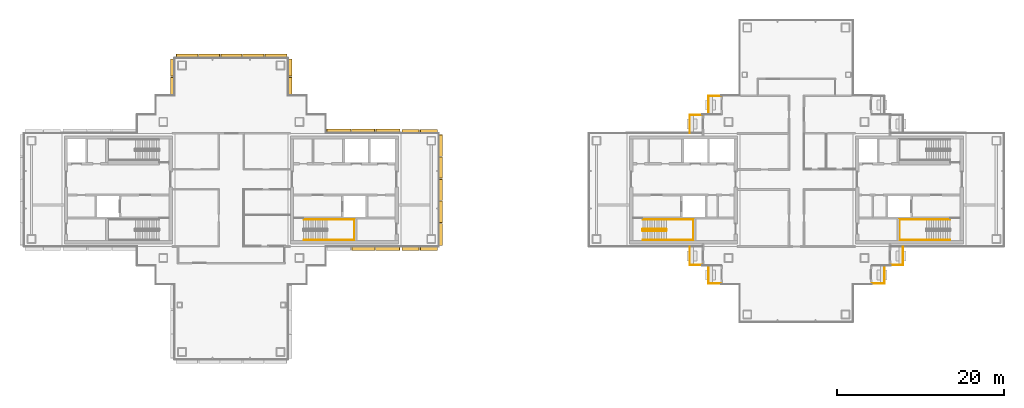
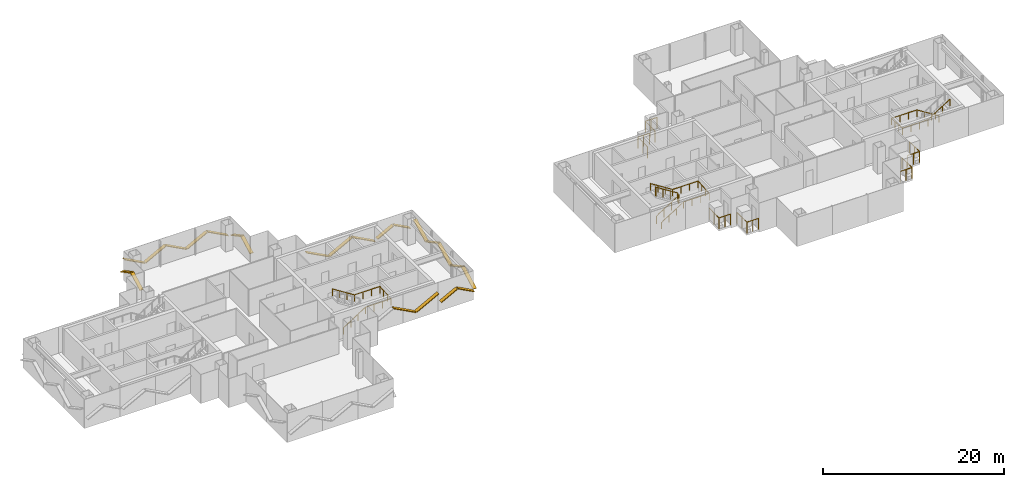
# One storey, part 15 of 17: 23 shading devices, 10 railings.
"""IFC4 building model written with IfcOpenShell, lengths in metres."""

from ifc_helpers import new_model, si_unit, direction, frame, origin, origin_2d, place, context, subcontext, project, spatial, rectangle, circle, extrude, material, material_profile, profile_set, type_object, element, save


model = new_model("IFC4")

# Units and contexts
model_context = context("Model", 3, precision=1e-05, world=origin(), true_north=direction((0.0, 1.0)))
body_context = subcontext(model_context, "Body", "Model", "MODEL_VIEW")
ifc_project = project(units=[si_unit("LENGTHUNIT", "METRE"), si_unit("AREAUNIT", "SQUARE_METRE"), si_unit("VOLUMEUNIT", "CUBIC_METRE"), si_unit("PLANEANGLEUNIT", "RADIAN"), si_unit("MASSUNIT", "GRAM", prefix="KILO")], contexts=[model_context])

# Site, building, storey
site_placement = place(None, origin())
site = spatial("IfcSite", under=ifc_project, at=site_placement, CompositionType="ELEMENT")
building_placement = place(site_placement, origin())
building = spatial("IfcBuilding", under=site, at=building_placement, Name="Shamsa Quay Exchange Towers", CompositionType="ELEMENT")
storey_placement = place(building_placement, frame((0.0, 0.0, 194.39990234375)))
storey = spatial("IfcBuildingStorey", under=building, at=storey_placement, Name="L46", CompositionType="ELEMENT", Elevation=194.39990234375)

# Railings
ifc_material_1 = material(Name="Steel S355, black powder-coated", Category="steel")
railing_type_1 = type_object("IfcRailingType", Name="BALCONY GUARD 1500", PredefinedType="GUARDRAIL", material=ifc_material_1)
for number, where, name in (
    (1, (24.72900390625, 11.199951171875, 0.0), "Balcony guard T2-PKEN L46"),
    (2, (22.47900390625, 8.949951171875, 0.0), "Balcony guard T2-PKEN L46"),
):
    element("IfcRailing", number, at=place(storey_placement, frame(where)), inside=storey, type_object=railing_type_1, Name=name, PredefinedType="GUARDRAIL", context=body_context, shape_type="SweptSolid", body=[
        extrude(circle(Radius=0.02392578125, at=origin_2d()), frame((0.0, 0.0, 1.47607421875), z_axis=(-1.0, 0.0, 0.0), x_axis=(0.0, -1.0, 0.0)), (0.0, 0.0, 1.0), 1.47900390625),
        extrude(circle(Radius=0.02392578125, at=origin_2d()), frame((-1.47900390625, 0.0, 1.47607421875), z_axis=(0.0, -1.0, 0.0), x_axis=(1.0, 0.0, 0.0)), (0.0, 0.0, 1.0), 2.161865234375),
        extrude(circle(Radius=0.02099609375, at=origin_2d()), origin(), (0.0, 0.0, 1.0), 1.451904296875),
        extrude(circle(Radius=0.02099609375, at=origin_2d()), frame((-0.739501953125, 0.0, 0.0)), (0.0, 0.0, 1.0), 1.451904296875),
        extrude(circle(Radius=0.02099609375, at=origin_2d()), frame((-1.47900390625, 0.0, 0.0)), (0.0, 0.0, 1.0), 1.451904296875),
        extrude(circle(Radius=0.02099609375, at=origin_2d()), frame((-1.47900390625, -1.0810546875, 0.0)), (0.0, 0.0, 1.0), 1.451904296875),
        extrude(circle(Radius=0.02099609375, at=origin_2d()), frame((-1.47900390625, -2.161865234375, 0.0)), (0.0, 0.0, 1.0), 1.451904296875),
    ])
for number, where, name in (
    (3, (21.0, -6.7880859375, 0.0), "Balcony guard T2-PKWN L46"),
    (4, (23.25, -9.0380859375, 0.0), "Balcony guard T2-PKWN L46"),
):
    element("IfcRailing", number, at=place(storey_placement, frame(where)), inside=storey, type_object=railing_type_1, Name=name, PredefinedType="GUARDRAIL", context=body_context, shape_type="SweptSolid", body=[
        extrude(circle(Radius=0.02392578125, at=origin_2d()), frame((0.0, 0.0, 1.47607421875), z_axis=(0.0, -1.0, 0.0), x_axis=(1.0, 0.0, 0.0)), (0.0, 0.0, 1.0), 2.161865234375),
        extrude(circle(Radius=0.02392578125, at=origin_2d()), frame((0.0, -2.161865234375, 1.47607421875), z_axis=(1.0, 0.0, 0.0), x_axis=(0.0, 1.0, 0.0)), (0.0, 0.0, 1.0), 1.47900390625),
        extrude(circle(Radius=0.02099609375, at=origin_2d()), origin(), (0.0, 0.0, 1.0), 1.451904296875),
        extrude(circle(Radius=0.02099609375, at=origin_2d()), frame((0.0, -1.0810546875, 0.0)), (0.0, 0.0, 1.0), 1.451904296875),
        extrude(circle(Radius=0.02099609375, at=origin_2d()), frame((0.0, -2.161865234375, 0.0)), (0.0, 0.0, 1.0), 1.451904296875),
        extrude(circle(Radius=0.02099609375, at=origin_2d()), frame((0.739501953125, -2.161865234375, 0.0)), (0.0, 0.0, 1.0), 1.451904296875),
        extrude(circle(Radius=0.02099609375, at=origin_2d()), frame((1.47900390625, -2.161865234375, 0.0)), (0.0, 0.0, 1.0), 1.451904296875),
    ])
for number, where, name in (
    (5, (42.77099609375, -11.199951171875, 0.0), "Balcony guard T2-PKWS L46"),
    (6, (45.02099609375, -8.949951171875, 0.0), "Balcony guard T2-PKWS L46"),
):
    element("IfcRailing", number, at=place(storey_placement, frame(where)), inside=storey, type_object=railing_type_1, Name=name, PredefinedType="GUARDRAIL", context=body_context, shape_type="SweptSolid", body=[
        extrude(circle(Radius=0.02392578125, at=origin_2d()), frame((0.0, 0.0, 1.47607421875), z_axis=(1.0, 0.0, 0.0), x_axis=(0.0, 1.0, 0.0)), (0.0, 0.0, 1.0), 1.47900390625),
        extrude(circle(Radius=0.02392578125, at=origin_2d()), frame((1.47900390625, 0.0, 1.47607421875), z_axis=(0.0, 1.0, 0.0), x_axis=(-1.0, 0.0, 0.0)), (0.0, 0.0, 1.0), 2.161865234375),
        extrude(circle(Radius=0.02099609375, at=origin_2d()), origin(), (0.0, 0.0, 1.0), 1.451904296875),
        extrude(circle(Radius=0.02099609375, at=origin_2d()), frame((0.739501953125, 0.0, 0.0)), (0.0, 0.0, 1.0), 1.451904296875),
        extrude(circle(Radius=0.02099609375, at=origin_2d()), frame((1.47900390625, 0.0, 0.0)), (0.0, 0.0, 1.0), 1.451904296875),
        extrude(circle(Radius=0.02099609375, at=origin_2d()), frame((1.47900390625, 1.0810546875, 0.0)), (0.0, 0.0, 1.0), 1.451904296875),
        extrude(circle(Radius=0.02099609375, at=origin_2d()), frame((1.47900390625, 2.161865234375, 0.0)), (0.0, 0.0, 1.0), 1.451904296875),
    ])

# Shading devices
ifc_material_2 = material(Name="Aluminium EN AW-6063 T6, black anodised", Category="aluminium")
ifc_material_profile = material_profile(ifc_material_2, rectangle(XDim=0.449951171875, YDim=0.10009765625, at=origin_2d()), Name="FIN450x100")
ifc_profile_set = profile_set([ifc_material_profile], Name="Aluminium EN AW-6063 T6, black anodised")
shading_device_type = type_object("IfcShadingDeviceType", Name="FIN 450x100 BLACK ALUMINIUM", PredefinedType="USERDEFINED", material=ifc_profile_set)
shading_device_1_placement = place(storey_placement, frame((-19.374755859375, -7.01904296875, 2.341064453125), z_axis=(0.882964473393, 0.0, -0.469439813742), x_axis=(0.0, 1.0, 0.0)))
element("IfcShadingDevice", 7, at=shading_device_1_placement, inside=storey, type_object=shading_device_type, Name="FIN T1 chevron rib", ObjectType="FIN", PredefinedType="USERDEFINED", context=body_context, shape_type="SweptSolid", body=[
    extrude(rectangle(XDim=0.449951171875, YDim=0.10009765625, at=origin_2d()), origin(), (0.0, 0.0, 1.0), 3.15673828125),
])
shading_device_2_placement = place(storey_placement, frame((-16.4873046875, -7.01904296875, 0.845703125), z_axis=(0.882932697482, 0.0, 0.469499575843), x_axis=(0.0, 1.0, 0.0)))
element("IfcShadingDevice", 8, at=shading_device_2_placement, inside=storey, type_object=shading_device_type, Name="FIN T1 chevron rib", ObjectType="FIN", PredefinedType="USERDEFINED", context=body_context, shape_type="SweptSolid", body=[
    extrude(rectangle(XDim=0.449951171875, YDim=0.10009765625, at=origin_2d()), origin(), (0.0, 0.0, 1.0), 3.213623046875),
])
for number, where, z_axis, x_axis, name in (
    (9, (-13.35009765625, -7.014892578125, 1.05517578125), (0.882980896466, 0.0, 0.469408922451), (0.0, 1.0, 0.0), "FIN T1 chevron rib"),
    (10, (-11.199951171875, -7.014892578125, 2.14501953125), (0.882980896466, 0.0, -0.469408922451), (0.0, 1.0, 0.0), "FIN T1 chevron rib"),
):
    element("IfcShadingDevice", number, at=place(storey_placement, frame(where, z_axis=z_axis, x_axis=x_axis)), inside=storey, type_object=shading_device_type, Name=name, ObjectType="FIN", PredefinedType="USERDEFINED", context=body_context, shape_type="SweptSolid", body=[
        extrude(rectangle(XDim=0.449951171875, YDim=0.10009765625, at=origin_2d()), origin(), (0.0, 0.0, 1.0), 2.32177734375),
    ])
shading_device_3_placement = place(storey_placement, frame((-8.735107421875, -6.60009765625, 0.91162109375), z_axis=(0.0, 0.882978825911, 0.469412817244), x_axis=(-1.0, 0.0, 0.0)))
element("IfcShadingDevice", 11, at=shading_device_3_placement, inside=storey, type_object=shading_device_type, Name="FIN T1 chevron rib", ObjectType="FIN", PredefinedType="USERDEFINED", context=body_context, shape_type="SweptSolid", body=[
    extrude(rectangle(XDim=0.449951171875, YDim=0.10009765625, at=origin_2d()), origin(), (0.0, 0.0, 1.0), 2.933349609375),
])
shading_device_4_placement = place(storey_placement, frame((-8.735107421875, -3.909912109375, 2.275390625), z_axis=(0.0, 0.882925540975, -0.469513033997), x_axis=(-1.0, 0.0, 0.0)))
element("IfcShadingDevice", 12, at=shading_device_4_placement, inside=storey, type_object=shading_device_type, Name="FIN T1 chevron rib", ObjectType="FIN", PredefinedType="USERDEFINED", context=body_context, shape_type="SweptSolid", body=[
    extrude(rectangle(XDim=0.449951171875, YDim=0.10009765625, at=origin_2d()), origin(), (0.0, 0.0, 1.0), 2.87646484375),
])
shading_device_5_placement = place(storey_placement, frame((-8.735107421875, -1.27001953125, 0.9248046875), z_axis=(0.0, 0.882944248312, 0.469477852909), x_axis=(-1.0, 0.0, 0.0)))
element("IfcShadingDevice", 13, at=shading_device_5_placement, inside=storey, type_object=shading_device_type, Name="FIN T1 chevron rib", ObjectType="FIN", PredefinedType="USERDEFINED", context=body_context, shape_type="SweptSolid", body=[
    extrude(rectangle(XDim=0.449951171875, YDim=0.10009765625, at=origin_2d()), origin(), (0.0, 0.0, 1.0), 2.876708984375),
])
shading_device_6_placement = place(storey_placement, frame((-8.735107421875, 1.3701171875, 2.275390625), z_axis=(0.0, 0.882925540975, -0.469513033997), x_axis=(-1.0, 0.0, 0.0)))
element("IfcShadingDevice", 14, at=shading_device_6_placement, inside=storey, type_object=shading_device_type, Name="FIN T1 chevron rib", ObjectType="FIN", PredefinedType="USERDEFINED", context=body_context, shape_type="SweptSolid", body=[
    extrude(rectangle(XDim=0.449951171875, YDim=0.10009765625, at=origin_2d()), origin(), (0.0, 0.0, 1.0), 2.87646484375),
])
shading_device_7_placement = place(storey_placement, frame((-8.735107421875, 4.010009765625, 0.91162109375), z_axis=(0.0, 0.882978825911, 0.469412817244), x_axis=(-1.0, 0.0, 0.0)))
element("IfcShadingDevice", 15, at=shading_device_7_placement, inside=storey, type_object=shading_device_type, Name="FIN T1 chevron rib", ObjectType="FIN", PredefinedType="USERDEFINED", context=body_context, shape_type="SweptSolid", body=[
    extrude(rectangle(XDim=0.449951171875, YDim=0.10009765625, at=origin_2d()), origin(), (0.0, 0.0, 1.0), 2.933349609375),
])
for number, where, z_axis, x_axis, name in (
    (16, (-9.14990234375, 7.014892578125, 1.05517578125), (-0.882980896466, 0.0, 0.469408922451), (0.0, -1.0, 0.0), "FIN T1 chevron rib"),
    (17, (-11.300048828125, 7.014892578125, 2.14501953125), (-0.882980896466, 0.0, -0.469408922451), (0.0, -1.0, 0.0), "FIN T1 chevron rib"),
):
    element("IfcShadingDevice", number, at=place(storey_placement, frame(where, z_axis=z_axis, x_axis=x_axis)), inside=storey, type_object=shading_device_type, Name=name, ObjectType="FIN", PredefinedType="USERDEFINED", context=body_context, shape_type="SweptSolid", body=[
        extrude(rectangle(XDim=0.449951171875, YDim=0.10009765625, at=origin_2d()), origin(), (0.0, 0.0, 1.0), 2.32177734375),
    ])
shading_device_8_placement = place(storey_placement, frame((-13.64990234375, 7.01904296875, 0.842529296875), z_axis=(-0.882984458164, 0.0, 0.469402222663), x_axis=(0.0, -1.0, 0.0)))
element("IfcShadingDevice", 18, at=shading_device_8_placement, inside=storey, type_object=shading_device_type, Name="FIN T1 chevron rib", ObjectType="FIN", PredefinedType="USERDEFINED", context=body_context, shape_type="SweptSolid", body=[
    extrude(rectangle(XDim=0.449951171875, YDim=0.10009765625, at=origin_2d()), origin(), (0.0, 0.0, 1.0), 3.227783203125),
])
shading_device_9_placement = place(storey_placement, frame((-16.60009765625, 7.01904296875, 2.344482421875), z_axis=(-0.882936223509, 0.0, -0.469492944799), x_axis=(0.0, -1.0, 0.0)))
element("IfcShadingDevice", 19, at=shading_device_9_placement, inside=storey, type_object=shading_device_type, Name="FIN T1 chevron rib", ObjectType="FIN", PredefinedType="USERDEFINED", context=body_context, shape_type="SweptSolid", body=[
    extrude(rectangle(XDim=0.449951171875, YDim=0.10009765625, at=origin_2d()), origin(), (0.0, 0.0, 1.0), 3.1708984375),
])
shading_device_10_placement = place(storey_placement, frame((-19.5, 7.01904296875, 0.842529296875), z_axis=(-0.882984458164, 0.0, 0.469402222663), x_axis=(0.0, -1.0, 0.0)))
element("IfcShadingDevice", 20, at=shading_device_10_placement, inside=storey, type_object=shading_device_type, Name="FIN T1 chevron rib", ObjectType="FIN", PredefinedType="USERDEFINED", context=body_context, shape_type="SweptSolid", body=[
    extrude(rectangle(XDim=0.449951171875, YDim=0.10009765625, at=origin_2d()), origin(), (0.0, 0.0, 1.0), 3.227783203125),
])
for number, where, z_axis, x_axis, name in (
    (21, (-26.735107421875, 11.43798828125, 1.06005859375), (0.0, 0.882916388748, 0.469530244479), (-1.0, 0.0, 0.0), "FIN T1 chevron rib"),
    (22, (-26.735107421875, 13.569091796875, 2.14013671875), (0.0, 0.882916388748, -0.469530244479), (-1.0, 0.0, 0.0), "FIN T1 chevron rib"),
):
    element("IfcShadingDevice", number, at=place(storey_placement, frame(where, z_axis=z_axis, x_axis=x_axis)), inside=storey, type_object=shading_device_type, Name=name, ObjectType="FIN", PredefinedType="USERDEFINED", context=body_context, shape_type="SweptSolid", body=[
        extrude(rectangle(XDim=0.449951171875, YDim=0.10009765625, at=origin_2d()), origin(), (0.0, 0.0, 1.0), 2.30029296875),
    ])
shading_device_11_placement = place(storey_placement, frame((-27.14990234375, 16.014892578125, 0.91162109375), z_axis=(-0.882978825911, 0.0, 0.469412817244), x_axis=(0.0, -1.0, 0.0)))
element("IfcShadingDevice", 23, at=shading_device_11_placement, inside=storey, type_object=shading_device_type, Name="FIN T1 chevron rib", ObjectType="FIN", PredefinedType="USERDEFINED", context=body_context, shape_type="SweptSolid", body=[
    extrude(rectangle(XDim=0.449951171875, YDim=0.10009765625, at=origin_2d()), origin(), (0.0, 0.0, 1.0), 2.933349609375),
])
shading_device_12_placement = place(storey_placement, frame((-29.840087890625, 16.014892578125, 2.275390625), z_axis=(-0.882925540975, 0.0, -0.469513033997), x_axis=(0.0, -1.0, 0.0)))
element("IfcShadingDevice", 24, at=shading_device_12_placement, inside=storey, type_object=shading_device_type, Name="FIN T1 chevron rib", ObjectType="FIN", PredefinedType="USERDEFINED", context=body_context, shape_type="SweptSolid", body=[
    extrude(rectangle(XDim=0.449951171875, YDim=0.10009765625, at=origin_2d()), origin(), (0.0, 0.0, 1.0), 2.87646484375),
])
shading_device_13_placement = place(storey_placement, frame((-32.47998046875, 16.014892578125, 0.9248046875), z_axis=(-0.882944248312, 0.0, 0.469477852909), x_axis=(0.0, -1.0, 0.0)))
element("IfcShadingDevice", 25, at=shading_device_13_placement, inside=storey, type_object=shading_device_type, Name="FIN T1 chevron rib", ObjectType="FIN", PredefinedType="USERDEFINED", context=body_context, shape_type="SweptSolid", body=[
    extrude(rectangle(XDim=0.449951171875, YDim=0.10009765625, at=origin_2d()), origin(), (0.0, 0.0, 1.0), 2.876708984375),
])
shading_device_14_placement = place(storey_placement, frame((-35.1201171875, 16.014892578125, 2.275390625), z_axis=(-0.882925540975, 0.0, -0.469513033997), x_axis=(0.0, -1.0, 0.0)))
element("IfcShadingDevice", 26, at=shading_device_14_placement, inside=storey, type_object=shading_device_type, Name="FIN T1 chevron rib", ObjectType="FIN", PredefinedType="USERDEFINED", context=body_context, shape_type="SweptSolid", body=[
    extrude(rectangle(XDim=0.449951171875, YDim=0.10009765625, at=origin_2d()), origin(), (0.0, 0.0, 1.0), 2.87646484375),
])
shading_device_15_placement = place(storey_placement, frame((-37.760009765625, 16.014892578125, 0.91162109375), z_axis=(-0.882978825911, 0.0, 0.469412817244), x_axis=(0.0, -1.0, 0.0)))
element("IfcShadingDevice", 27, at=shading_device_15_placement, inside=storey, type_object=shading_device_type, Name="FIN T1 chevron rib", ObjectType="FIN", PredefinedType="USERDEFINED", context=body_context, shape_type="SweptSolid", body=[
    extrude(rectangle(XDim=0.449951171875, YDim=0.10009765625, at=origin_2d()), origin(), (0.0, 0.0, 1.0), 2.933349609375),
])
for number, where, z_axis, x_axis, name in (
    (28, (-40.764892578125, 15.60009765625, 1.05517578125), (0.0, -0.882980896466, 0.469408922451), (1.0, 0.0, 0.0), "FIN T1 chevron rib"),
    (29, (-40.764892578125, 13.449951171875, 2.14501953125), (0.0, -0.882980896466, -0.469408922451), (1.0, 0.0, 0.0), "FIN T1 chevron rib"),
):
    element("IfcShadingDevice", number, at=place(storey_placement, frame(where, z_axis=z_axis, x_axis=x_axis)), inside=storey, type_object=shading_device_type, Name=name, ObjectType="FIN", PredefinedType="USERDEFINED", context=body_context, shape_type="SweptSolid", body=[
        extrude(rectangle(XDim=0.449951171875, YDim=0.10009765625, at=origin_2d()), origin(), (0.0, 0.0, 1.0), 2.32177734375),
    ])

# Railings
ifc_material_3 = material(Name="Stainless steel", Category="steel")
railing_type_2 = type_object("IfcRailingType", Name="STAIR GUARD 1100", PredefinedType="GUARDRAIL", material=ifc_material_3)
railing_1_placement = place(storey_placement, frame((15.39990234375, -4.89990234375, 0.177490234375)))
element("IfcRailing", 30, at=railing_1_placement, inside=storey, type_object=railing_type_2, Name="L46 ST4 stair guard 1", PredefinedType="GUARDRAIL", context=body_context, shape_type="SweptSolid", body=[
    extrude(circle(Radius=0.02392578125, at=origin_2d()), frame((0.0, 0.0, 1.076171875), z_axis=(0.844908973607, 0.0, 0.534910110503), x_axis=(0.0, 1.0, 0.0)), (0.0, 0.0, 1.0), 3.31396484375),
    extrude(circle(Radius=0.02392578125, at=origin_2d()), frame((2.800048828125, 0.0, 2.8486328125), z_axis=(0.708833529934, 0.705375805398, 0.0), x_axis=(-0.705375805398, 0.708833529934, 0.0)), (0.0, 0.0, 1.0), 0.070556640625),
    extrude(circle(Radius=0.02392578125, at=origin_2d()), frame((2.85009765625, 0.0498046875, 2.8486328125), z_axis=(0.0, 1.0, 0.0), x_axis=(-1.0, 0.0, 0.0)), (0.0, 0.0, 1.0), 0.150146484375),
    extrude(circle(Radius=0.02392578125, at=origin_2d()), frame((2.85009765625, 0.199951171875, 2.8486328125), z_axis=(-0.262233686654, 0.262233686654, 0.928691007369), x_axis=(-0.707106781187, -0.707106781187, 0.0)), (0.0, 0.0, 1.0), 0.19091796875),
    extrude(circle(Radius=0.02392578125, at=origin_2d()), frame((2.800048828125, 0.25, 3.02587890625), z_axis=(-0.844908973607, 0.0, 0.534910110503), x_axis=(0.0, -1.0, 0.0)), (0.0, 0.0, 1.0), 3.31396484375),
    extrude(circle(Radius=0.02392578125, at=origin_2d()), frame((0.0, 0.25, 4.798828125), z_axis=(-0.24142163986, -0.970420317083, 0.0), x_axis=(0.970420317083, -0.24142163986, 0.0)), (0.0, 0.0, 1.0), 0.206298828125),
    extrude(circle(Radius=0.02392578125, at=origin_2d()), frame((-0.0498046875, 0.0498046875, 4.798828125), z_axis=(0.0, 1.0, 0.0), x_axis=(-1.0, 0.0, 0.0)), (0.0, 0.0, 1.0), 0.150146484375),
    extrude(circle(Radius=0.02099609375, at=origin_2d()), origin(), (0.0, 0.0, 1.0), 1.052001953125),
    extrude(circle(Radius=0.02099609375, at=origin_2d()), frame((0.933349609375, 0.0, 0.5908203125)), (0.0, 0.0, 1.0), 1.052001953125),
    extrude(circle(Radius=0.02099609375, at=origin_2d()), frame((1.86669921875, 0.0, 1.181884765625)), (0.0, 0.0, 1.0), 1.052001953125),
    extrude(circle(Radius=0.02099609375, at=origin_2d()), frame((2.800048828125, 0.0, 1.772705078125)), (0.0, 0.0, 1.0), 1.052001953125),
    extrude(circle(Radius=0.02099609375, at=origin_2d()), frame((2.85009765625, 0.0498046875, 1.772705078125)), (0.0, 0.0, 1.0), 1.052001953125),
    extrude(circle(Radius=0.02099609375, at=origin_2d()), frame((2.85009765625, 0.199951171875, 1.772705078125)), (0.0, 0.0, 1.0), 1.052001953125),
    extrude(circle(Radius=0.02099609375, at=origin_2d()), frame((2.800048828125, 0.25, 1.949951171875)), (0.0, 0.0, 1.0), 1.052001953125),
    extrude(circle(Radius=0.02099609375, at=origin_2d()), frame((1.86669921875, 0.25, 2.540771484375)), (0.0, 0.0, 1.0), 1.052001953125),
    extrude(circle(Radius=0.02099609375, at=origin_2d()), frame((0.933349609375, 0.25, 3.1318359375)), (0.0, 0.0, 1.0), 1.052001953125),
    extrude(circle(Radius=0.02099609375, at=origin_2d()), frame((0.0, 0.25, 3.72265625)), (0.0, 0.0, 1.0), 1.052001953125),
    extrude(circle(Radius=0.02099609375, at=origin_2d()), frame((-0.0498046875, 0.0498046875, 3.72265625)), (0.0, 0.0, 1.0), 1.052001953125),
    extrude(circle(Radius=0.02099609375, at=origin_2d()), frame((-0.0498046875, 0.199951171875, 3.72265625)), (0.0, 0.0, 1.0), 1.052001953125),
])
railing_type_3 = type_object("IfcRailingType", Name="STAIR HANDRAIL 900", PredefinedType="HANDRAIL", material=ifc_material_3)
railing_2_placement = place(storey_placement, frame((-25.10009765625, -6.0, 0.177490234375)))
element("IfcRailing", 31, at=railing_2_placement, inside=storey, type_object=railing_type_3, Name="L46 ST1 stair handrail 1", PredefinedType="HANDRAIL", context=body_context, shape_type="SweptSolid", body=[
    extrude(circle(Radius=0.02392578125, at=origin_2d()), frame((0.0, 0.0, 0.8759765625), z_axis=(0.844908973607, 0.0, 0.534910110503), x_axis=(0.0, 1.0, 0.0)), (0.0, 0.0, 1.0), 3.31396484375),
    extrude(circle(Radius=0.02392578125, at=origin_2d()), frame((2.800048828125, 0.0, 2.6484375), z_axis=(1.0, 0.0, 0.0), x_axis=(0.0, 1.0, 0.0)), (0.0, 0.0, 1.0), 3.25),
    extrude(circle(Radius=0.02392578125, at=origin_2d()), frame((6.050048828125, 0.0, 2.6484375), z_axis=(0.0, 0.997393199914, 0.07215819264), x_axis=(-1.0, 0.0, 0.0)), (0.0, 0.0, 1.0), 2.456298828125),
    extrude(circle(Radius=0.02392578125, at=origin_2d()), frame((6.050048828125, 2.449951171875, 2.82568359375), z_axis=(-1.0, 0.0, 0.0), x_axis=(0.0, -1.0, 0.0)), (0.0, 0.0, 1.0), 3.25),
    extrude(circle(Radius=0.02392578125, at=origin_2d()), frame((2.800048828125, 2.449951171875, 2.82568359375), z_axis=(-0.844908973607, 0.0, 0.534910110503), x_axis=(0.0, -1.0, 0.0)), (0.0, 0.0, 1.0), 3.31396484375),
    extrude(circle(Radius=0.02099609375, at=origin_2d()), origin(), (0.0, 0.0, 1.0), 0.851806640625),
    extrude(circle(Radius=0.02099609375, at=origin_2d()), frame((0.933349609375, 0.0, 0.5908203125)), (0.0, 0.0, 1.0), 0.851806640625),
    extrude(circle(Radius=0.02099609375, at=origin_2d()), frame((1.86669921875, 0.0, 1.181884765625)), (0.0, 0.0, 1.0), 0.851806640625),
    extrude(circle(Radius=0.02099609375, at=origin_2d()), frame((2.800048828125, 0.0, 1.772705078125)), (0.0, 0.0, 1.0), 0.851806640625),
    extrude(circle(Radius=0.02099609375, at=origin_2d()), frame((3.88330078125, 0.0, 1.772705078125)), (0.0, 0.0, 1.0), 0.851806640625),
    extrude(circle(Radius=0.02099609375, at=origin_2d()), frame((4.966796875, 0.0, 1.772705078125)), (0.0, 0.0, 1.0), 0.851806640625),
    extrude(circle(Radius=0.02099609375, at=origin_2d()), frame((6.050048828125, 0.0, 1.772705078125)), (0.0, 0.0, 1.0), 0.851806640625),
    extrude(circle(Radius=0.02099609375, at=origin_2d()), frame((6.050048828125, 0.816650390625, 1.831787109375)), (0.0, 0.0, 1.0), 0.851806640625),
    extrude(circle(Radius=0.02099609375, at=origin_2d()), frame((6.050048828125, 1.63330078125, 1.890869140625)), (0.0, 0.0, 1.0), 0.851806640625),
    extrude(circle(Radius=0.02099609375, at=origin_2d()), frame((6.050048828125, 2.449951171875, 1.949951171875)), (0.0, 0.0, 1.0), 0.851806640625),
    extrude(circle(Radius=0.02099609375, at=origin_2d()), frame((4.966796875, 2.449951171875, 1.949951171875)), (0.0, 0.0, 1.0), 0.851806640625),
    extrude(circle(Radius=0.02099609375, at=origin_2d()), frame((3.88330078125, 2.449951171875, 1.949951171875)), (0.0, 0.0, 1.0), 0.851806640625),
    extrude(circle(Radius=0.02099609375, at=origin_2d()), frame((2.800048828125, 2.449951171875, 1.949951171875)), (0.0, 0.0, 1.0), 0.851806640625),
    extrude(circle(Radius=0.02099609375, at=origin_2d()), frame((1.86669921875, 2.449951171875, 2.540771484375)), (0.0, 0.0, 1.0), 0.851806640625),
    extrude(circle(Radius=0.02099609375, at=origin_2d()), frame((0.933349609375, 2.449951171875, 3.1318359375)), (0.0, 0.0, 1.0), 0.851806640625),
    extrude(circle(Radius=0.02099609375, at=origin_2d()), frame((0.0, 2.449951171875, 3.72265625)), (0.0, 0.0, 1.0), 0.851806640625),
])
railing_3_placement = place(storey_placement, frame((15.39990234375, -6.0, 0.177490234375)))
element("IfcRailing", 32, at=railing_3_placement, inside=storey, type_object=railing_type_3, Name="L46 ST4 stair handrail 1", PredefinedType="HANDRAIL", context=body_context, shape_type="SweptSolid", body=[
    extrude(circle(Radius=0.02392578125, at=origin_2d()), frame((0.0, 0.0, 0.8759765625), z_axis=(0.844908973607, 0.0, 0.534910110503), x_axis=(0.0, 1.0, 0.0)), (0.0, 0.0, 1.0), 3.31396484375),
    extrude(circle(Radius=0.02392578125, at=origin_2d()), frame((2.800048828125, 0.0, 2.6484375), z_axis=(1.0, 0.0, 0.0), x_axis=(0.0, 1.0, 0.0)), (0.0, 0.0, 1.0), 3.25),
    extrude(circle(Radius=0.02392578125, at=origin_2d()), frame((6.050048828125, 0.0, 2.6484375), z_axis=(0.0, 0.997393199914, 0.07215819264), x_axis=(-1.0, 0.0, 0.0)), (0.0, 0.0, 1.0), 2.456298828125),
    extrude(circle(Radius=0.02392578125, at=origin_2d()), frame((6.050048828125, 2.449951171875, 2.82568359375), z_axis=(-1.0, 0.0, 0.0), x_axis=(0.0, -1.0, 0.0)), (0.0, 0.0, 1.0), 3.25),
    extrude(circle(Radius=0.02392578125, at=origin_2d()), frame((2.800048828125, 2.449951171875, 2.82568359375), z_axis=(-0.844908973607, 0.0, 0.534910110503), x_axis=(0.0, -1.0, 0.0)), (0.0, 0.0, 1.0), 3.31396484375),
    extrude(circle(Radius=0.02099609375, at=origin_2d()), origin(), (0.0, 0.0, 1.0), 0.851806640625),
    extrude(circle(Radius=0.02099609375, at=origin_2d()), frame((0.933349609375, 0.0, 0.5908203125)), (0.0, 0.0, 1.0), 0.851806640625),
    extrude(circle(Radius=0.02099609375, at=origin_2d()), frame((1.86669921875, 0.0, 1.181884765625)), (0.0, 0.0, 1.0), 0.851806640625),
    extrude(circle(Radius=0.02099609375, at=origin_2d()), frame((2.800048828125, 0.0, 1.772705078125)), (0.0, 0.0, 1.0), 0.851806640625),
    extrude(circle(Radius=0.02099609375, at=origin_2d()), frame((3.88330078125, 0.0, 1.772705078125)), (0.0, 0.0, 1.0), 0.851806640625),
    extrude(circle(Radius=0.02099609375, at=origin_2d()), frame((4.966796875, 0.0, 1.772705078125)), (0.0, 0.0, 1.0), 0.851806640625),
    extrude(circle(Radius=0.02099609375, at=origin_2d()), frame((6.050048828125, 0.0, 1.772705078125)), (0.0, 0.0, 1.0), 0.851806640625),
    extrude(circle(Radius=0.02099609375, at=origin_2d()), frame((6.050048828125, 0.816650390625, 1.831787109375)), (0.0, 0.0, 1.0), 0.851806640625),
    extrude(circle(Radius=0.02099609375, at=origin_2d()), frame((6.050048828125, 1.63330078125, 1.890869140625)), (0.0, 0.0, 1.0), 0.851806640625),
    extrude(circle(Radius=0.02099609375, at=origin_2d()), frame((6.050048828125, 2.449951171875, 1.949951171875)), (0.0, 0.0, 1.0), 0.851806640625),
    extrude(circle(Radius=0.02099609375, at=origin_2d()), frame((4.966796875, 2.449951171875, 1.949951171875)), (0.0, 0.0, 1.0), 0.851806640625),
    extrude(circle(Radius=0.02099609375, at=origin_2d()), frame((3.88330078125, 2.449951171875, 1.949951171875)), (0.0, 0.0, 1.0), 0.851806640625),
    extrude(circle(Radius=0.02099609375, at=origin_2d()), frame((2.800048828125, 2.449951171875, 1.949951171875)), (0.0, 0.0, 1.0), 0.851806640625),
    extrude(circle(Radius=0.02099609375, at=origin_2d()), frame((1.86669921875, 2.449951171875, 2.540771484375)), (0.0, 0.0, 1.0), 0.851806640625),
    extrude(circle(Radius=0.02099609375, at=origin_2d()), frame((0.933349609375, 2.449951171875, 3.1318359375)), (0.0, 0.0, 1.0), 0.851806640625),
    extrude(circle(Radius=0.02099609375, at=origin_2d()), frame((0.0, 2.449951171875, 3.72265625)), (0.0, 0.0, 1.0), 0.851806640625),
])
railing_4_placement = place(storey_placement, frame((52.10009765625, -3.550048828125, 0.177490234375)))
element("IfcRailing", 33, at=railing_4_placement, inside=storey, type_object=railing_type_3, Name="L46 ST5 stair handrail 1", PredefinedType="HANDRAIL", context=body_context, shape_type="SweptSolid", body=[
    extrude(circle(Radius=0.02392578125, at=origin_2d()), frame((0.0, 0.0, 0.8759765625), z_axis=(-0.844908973607, 0.0, 0.534910110503), x_axis=(0.0, -1.0, 0.0)), (0.0, 0.0, 1.0), 3.31396484375),
    extrude(circle(Radius=0.02392578125, at=origin_2d()), frame((-2.800048828125, 0.0, 2.6484375), z_axis=(-1.0, 0.0, 0.0), x_axis=(0.0, -1.0, 0.0)), (0.0, 0.0, 1.0), 3.25),
    extrude(circle(Radius=0.02392578125, at=origin_2d()), frame((-6.050048828125, 0.0, 2.6484375), z_axis=(0.0, -0.997393199914, 0.07215819264), x_axis=(1.0, 0.0, 0.0)), (0.0, 0.0, 1.0), 2.456298828125),
    extrude(circle(Radius=0.02392578125, at=origin_2d()), frame((-6.050048828125, -2.449951171875, 2.82568359375), z_axis=(1.0, 0.0, 0.0), x_axis=(0.0, 1.0, 0.0)), (0.0, 0.0, 1.0), 3.25),
    extrude(circle(Radius=0.02392578125, at=origin_2d()), frame((-2.800048828125, -2.449951171875, 2.82568359375), z_axis=(0.844908973607, 0.0, 0.534910110503), x_axis=(0.0, 1.0, 0.0)), (0.0, 0.0, 1.0), 3.31396484375),
    extrude(circle(Radius=0.02099609375, at=origin_2d()), origin(), (0.0, 0.0, 1.0), 0.851806640625),
    extrude(circle(Radius=0.02099609375, at=origin_2d()), frame((-0.933349609375, 0.0, 0.5908203125)), (0.0, 0.0, 1.0), 0.851806640625),
    extrude(circle(Radius=0.02099609375, at=origin_2d()), frame((-1.86669921875, 0.0, 1.181884765625)), (0.0, 0.0, 1.0), 0.851806640625),
    extrude(circle(Radius=0.02099609375, at=origin_2d()), frame((-2.800048828125, 0.0, 1.772705078125)), (0.0, 0.0, 1.0), 0.851806640625),
    extrude(circle(Radius=0.02099609375, at=origin_2d()), frame((-3.88330078125, 0.0, 1.772705078125)), (0.0, 0.0, 1.0), 0.851806640625),
    extrude(circle(Radius=0.02099609375, at=origin_2d()), frame((-4.966796875, 0.0, 1.772705078125)), (0.0, 0.0, 1.0), 0.851806640625),
    extrude(circle(Radius=0.02099609375, at=origin_2d()), frame((-6.050048828125, 0.0, 1.772705078125)), (0.0, 0.0, 1.0), 0.851806640625),
    extrude(circle(Radius=0.02099609375, at=origin_2d()), frame((-6.050048828125, -0.816650390625, 1.831787109375)), (0.0, 0.0, 1.0), 0.851806640625),
    extrude(circle(Radius=0.02099609375, at=origin_2d()), frame((-6.050048828125, -1.63330078125, 1.890869140625)), (0.0, 0.0, 1.0), 0.851806640625),
    extrude(circle(Radius=0.02099609375, at=origin_2d()), frame((-6.050048828125, -2.449951171875, 1.949951171875)), (0.0, 0.0, 1.0), 0.851806640625),
    extrude(circle(Radius=0.02099609375, at=origin_2d()), frame((-4.966796875, -2.449951171875, 1.949951171875)), (0.0, 0.0, 1.0), 0.851806640625),
    extrude(circle(Radius=0.02099609375, at=origin_2d()), frame((-3.88330078125, -2.449951171875, 1.949951171875)), (0.0, 0.0, 1.0), 0.851806640625),
    extrude(circle(Radius=0.02099609375, at=origin_2d()), frame((-2.800048828125, -2.449951171875, 1.949951171875)), (0.0, 0.0, 1.0), 0.851806640625),
    extrude(circle(Radius=0.02099609375, at=origin_2d()), frame((-1.86669921875, -2.449951171875, 2.540771484375)), (0.0, 0.0, 1.0), 0.851806640625),
    extrude(circle(Radius=0.02099609375, at=origin_2d()), frame((-0.933349609375, -2.449951171875, 3.1318359375)), (0.0, 0.0, 1.0), 0.851806640625),
    extrude(circle(Radius=0.02099609375, at=origin_2d()), frame((0.0, -2.449951171875, 3.72265625)), (0.0, 0.0, 1.0), 0.851806640625),
])

save(model, "model.ifc")
